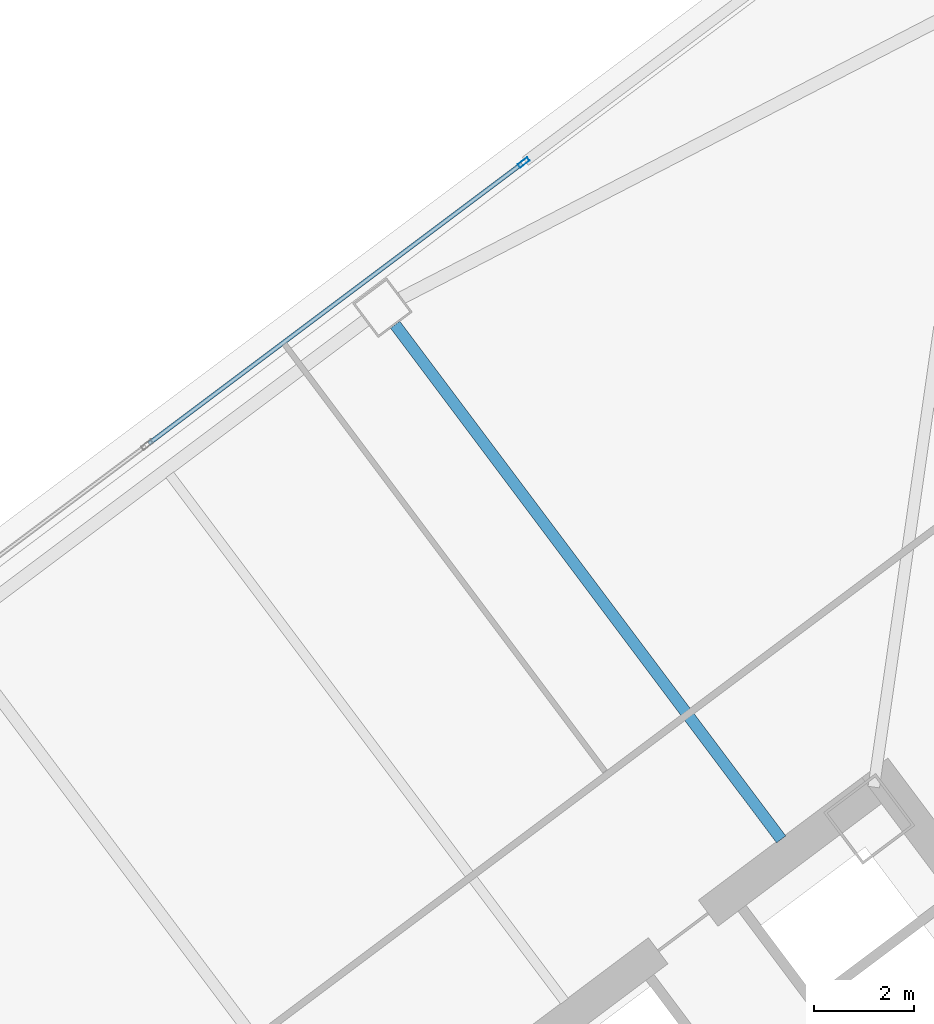
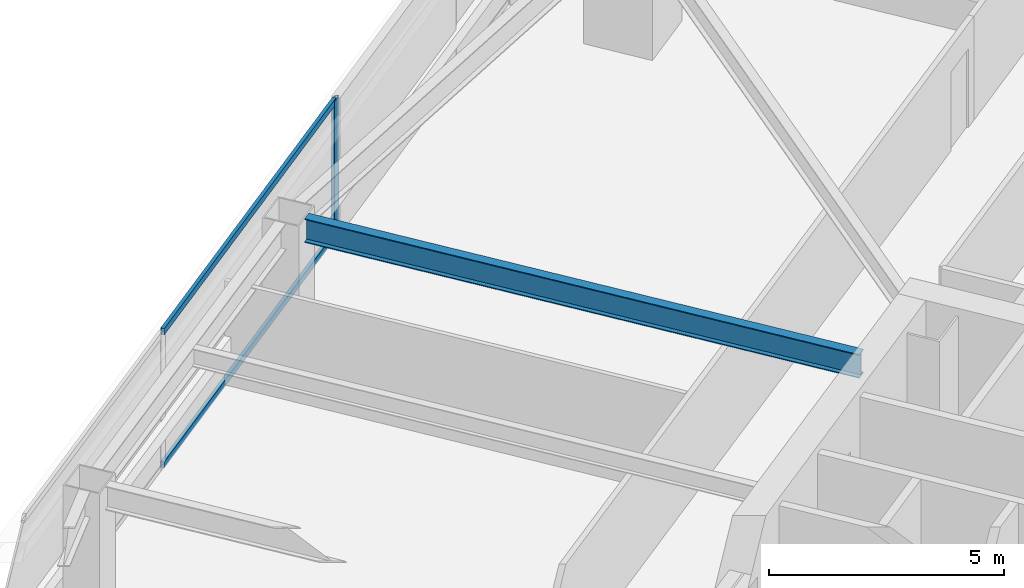
# One storey, part 32 of 51: 3 members, 1 beam, 1 element without a shape of its own.
"""IFC4 building model written with IfcOpenShell, lengths in metres."""

from ifc_helpers import new_model, si_unit, direction, frame, origin, origin_2d, place, context, subcontext, project, spatial, hollow_rectangle, i_section, extrude, material, material_profile, profile_set, type_object, element, aggregate, save


model = new_model("IFC4")

# Units and contexts
model_context = context("Model", 3, precision=1e-05, world=origin(), true_north=direction((0.0, 1.0)))
body_context = subcontext(model_context, "Body", "Model", "MODEL_VIEW")
ifc_project = project(units=[si_unit("LENGTHUNIT", "METRE"), si_unit("AREAUNIT", "SQUARE_METRE"), si_unit("VOLUMEUNIT", "CUBIC_METRE"), si_unit("PLANEANGLEUNIT", "RADIAN"), si_unit("MASSUNIT", "GRAM", prefix="KILO")], contexts=[model_context])

# Site, building, storey
site_placement = place(None, origin())
site = spatial("IfcSite", under=ifc_project, at=site_placement, CompositionType="ELEMENT")
building_placement = place(site_placement, origin())
building = spatial("IfcBuilding", under=site, at=building_placement, Name="Tashvorn Skyway Center", CompositionType="ELEMENT")
storey_placement = place(building_placement, frame((0.0, 0.0, 49.449951171875)))
storey = spatial("IfcBuildingStorey", under=building, at=storey_placement, Name="L12", CompositionType="ELEMENT", Elevation=49.449951171875)

# Beam
ifc_material_1 = material(Name="Steel ASTM A992 Grade 50", Category="steel")
ifc_material_profile_1 = material_profile(ifc_material_1, i_section(OverallWidth=0.22998046875, OverallDepth=0.616943359375, WebThickness=0.01318359375, FlangeThickness=0.022216796875, at=origin_2d()), Name="W24X94")
ifc_profile_set_1 = profile_set([ifc_material_profile_1], Name="Steel ASTM A992 Grade 50")
beam_type = type_object("IfcBeamType", Name="BM-BEAM-W24X94", PredefinedType="BEAM", material=ifc_profile_set_1)
beam_placement = place(storey_placement, frame((105.94189453125, 51.743896484375, 3.04150390625), z_axis=(0.600018239213, -0.799986320265, 0.0), x_axis=(0.799986320265, 0.600018239213, 0.0)))
element("IfcBeam", 1, at=beam_placement, inside=storey, type_object=beam_type, Name="Tower 2 L12 Primary Floor Girder FC-N1", PredefinedType="BEAM", context=body_context, shape_type="SweptSolid", body=[
    extrude(i_section(OverallWidth=0.22998046875, OverallDepth=0.616943359375, WebThickness=0.01318359375, FlangeThickness=0.022216796875, at=origin_2d()), origin(), (0.0, 0.0, 1.0), 12.849853515625),
])

# Curtain wall, members
ifc_material_2 = material(Name="Thermally broken bronze-anodized aluminium 6063-T6", Category="aluminium")
curtain_wall_type = type_object("IfcCurtainWallType", Name="CW-CW-Z1", PredefinedType="NOTDEFINED", material=ifc_material_2)
curtain_wall_placement = place(storey_placement, origin())
curtain_wall = element("IfcCurtainWall", 2, at=curtain_wall_placement, inside=storey, type_object=curtain_wall_type, Name="Tower 2 L12 North Unitised Curtain Wall Glazing Group 2", PredefinedType="NOTDEFINED")
ifc_material_profile_2 = material_profile(ifc_material_2, hollow_rectangle(XDim=0.0849609375, YDim=0.239990234375, WallThickness=0.0048828125, at=origin_2d()), Name="ALU-MULL-85x240")
ifc_profile_set_2 = profile_set([ifc_material_profile_2], Name="Thermally broken bronze-anodized aluminium 6063-T6")
member_type_1 = type_object("IfcMemberType", Name="CWM-CW-Z1", PredefinedType="MULLION", material=ifc_profile_set_2)
member_1_placement = place(storey_placement, frame((108.510009765625, 54.982421875, 0.0), z_axis=(0.0, 0.0, 1.0), x_axis=(-0.600000000002, 0.799999999998, 0.0)))
member_1 = element("IfcMember", 3, at=member_1_placement, type_object=member_type_1, Name="CW-Z1 mullion 3", PredefinedType="MULLION", context=body_context, shape_type="SweptSolid", body=[
    extrude(hollow_rectangle(XDim=0.0849609375, YDim=0.239990234375, WallThickness=0.0048828125, at=origin_2d()), origin(), (0.0, 0.0, 1.0), 3.550048828125),
])
ifc_material_profile_3 = material_profile(ifc_material_2, hollow_rectangle(XDim=0.0849609375, YDim=0.1650390625, WallThickness=0.0048828125, at=origin_2d()), Name="ALU-TRAN-85x165")
ifc_profile_set_3 = profile_set([ifc_material_profile_3], Name="Thermally broken bronze-anodized aluminium 6063-T6")
member_type_2 = type_object("IfcMemberType", Name="CWT-CW-Z1", PredefinedType="USERDEFINED", material=ifc_profile_set_3)
member_2_placement = place(storey_placement, frame((101.02587890625, 49.369384765625, 0.04248046875), z_axis=(0.8, 0.6, 0.0), x_axis=(-0.6, 0.8, 0.0)))
member_2 = element("IfcMember", 4, at=member_2_placement, type_object=member_type_2, Name="CW-Z1 transom 2.1", ObjectType="TRANSOM", PredefinedType="USERDEFINED", context=body_context, shape_type="SweptSolid", body=[
    extrude(hollow_rectangle(XDim=0.0849609375, YDim=0.1650390625, WallThickness=0.0048828125, at=origin_2d()), origin(), (0.0, 0.0, 1.0), 9.312744140625),
])
member_3_placement = place(storey_placement, frame((101.02587890625, 49.369384765625, 3.507568359375), z_axis=(0.8, 0.6, 0.0), x_axis=(-0.6, 0.8, 0.0)))
member_3 = element("IfcMember", 5, at=member_3_placement, type_object=member_type_2, Name="CW-Z1 transom 2.2", ObjectType="TRANSOM", PredefinedType="USERDEFINED", context=body_context, shape_type="SweptSolid", body=[
    extrude(hollow_rectangle(XDim=0.0849609375, YDim=0.1650390625, WallThickness=0.0048828125, at=origin_2d()), origin(), (0.0, 0.0, 1.0), 9.312744140625),
])
aggregate(curtain_wall, [member_1, member_2, member_3])

save(model, "model.ifc")
